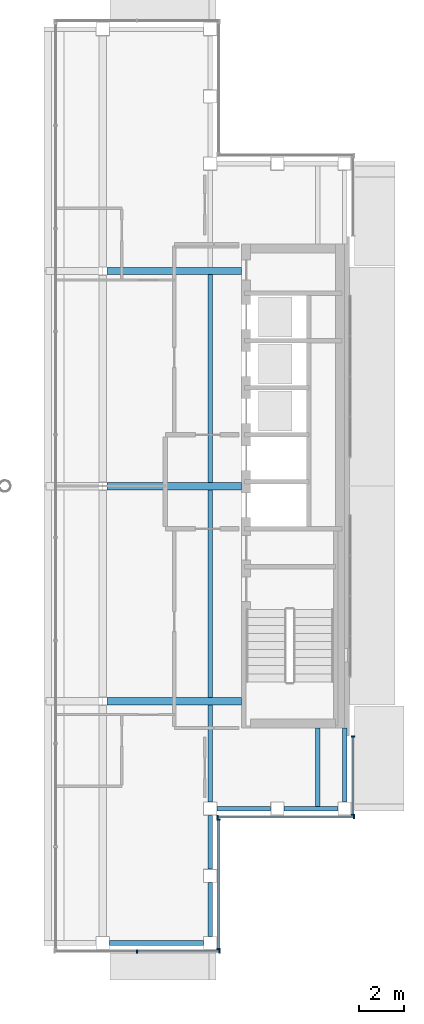
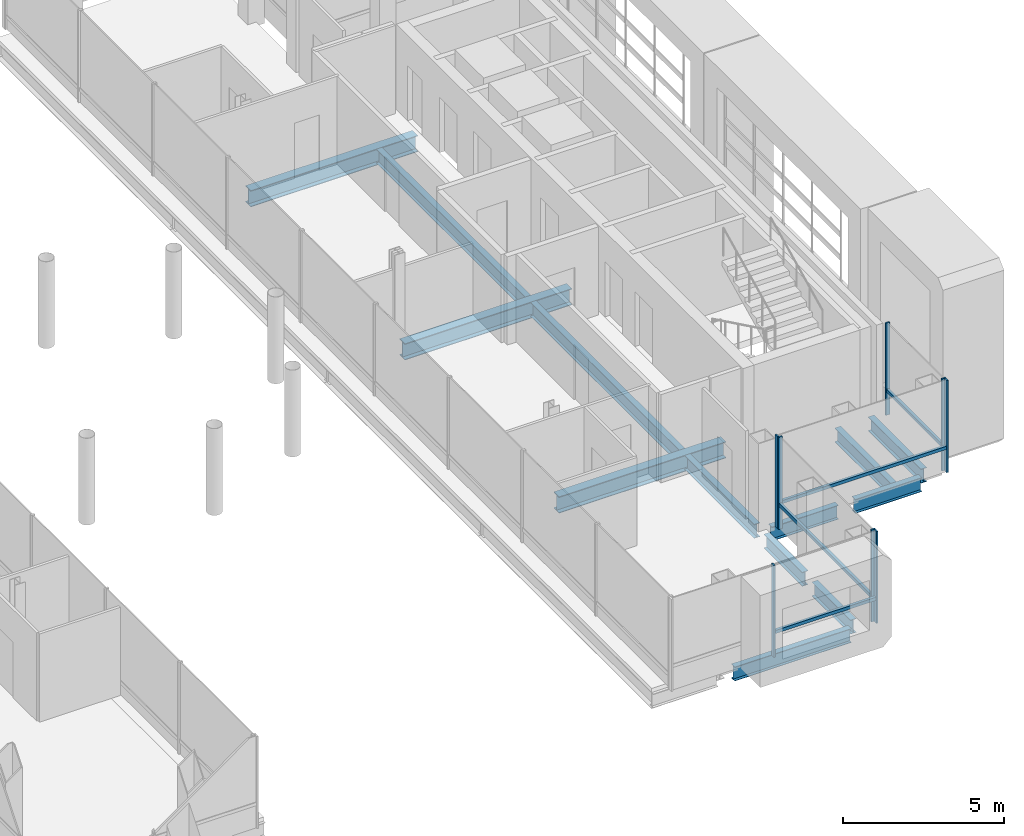
# One storey, part 6 of 21: 13 beams, 12 members, 4 elements without a shape of their own.
"""IFC4 building model written with IfcOpenShell, lengths in metres."""

import ifcopenshell
import ifcopenshell.guid

model = None  # the IFC model being written
_history = None  # IfcOwnerHistory: only IFC2X3 demands one
_inside = {}  # id of a spatial element -> (the spatial element, [elements in it])
_under = {}  # id of a project, library or spatial element -> (it, [spatial elements below it])
_declared = {}  # id of a project -> (the project, [libraries it declares])
_typed = {}  # id of a type object -> (the type object, [elements of that type])
_made_of = {}  # id of a material, layer set ... -> (it, [elements and type objects made of it])


def new_model(schema):
    """Start an empty IFC model of exactly this schema.

    Asked for "IFC4X3", IfcOpenShell would pick the latest addendum, in which some entities
    have other attributes; the version numbers below select the first issue.
    IFC2X3 requires an IfcOwnerHistory on every rooted entity: one is made here for all.
    """
    global model, _history
    if schema == "IFC4X3":
        model = ifcopenshell.file(schema_version=(4, 3, 0, 0))
    else:
        model = ifcopenshell.file(schema=schema)
    _inside.clear()
    _under.clear()
    _declared.clear()
    _typed.clear()
    _made_of.clear()
    _history = None
    if model.schema == "IFC2X3":
        org = make("IfcOrganization", Name="unknown")
        user = make(
            "IfcPersonAndOrganization",
            ThePerson=make("IfcPerson", FamilyName="unknown"),
            TheOrganization=org,
        )
        app = make(
            "IfcApplication",
            ApplicationDeveloper=org,
            Version="unknown",
            ApplicationFullName="unknown",
            ApplicationIdentifier="unknown",
        )
        _history = make(
            "IfcOwnerHistory",
            OwningUser=user,
            OwningApplication=app,
            ChangeAction="ADDED",
            CreationDate=0,
        )
    return model


def make(cls, **values):
    """One entity of the class cls with the attributes given. An attribute that is None is left unset."""
    return model.create_entity(
        cls, **{name: value for name, value in values.items() if value is not None}
    )


def rooted(cls, **values):
    """An entity with a GlobalId (a new one), such as an element, a storey or a relation."""
    return make(cls, GlobalId=ifcopenshell.guid.new(), OwnerHistory=_history, **values)


def si_unit(unit_type, name, prefix=None):
    """IfcSIUnit, for example si_unit("LENGTHUNIT", "METRE", prefix="MILLI")."""
    return make("IfcSIUnit", UnitType=unit_type, Prefix=prefix, Name=name)


def assignment(units):
    """IfcUnitAssignment: the units of a project."""
    return None if units is None else make("IfcUnitAssignment", Units=units)


def point(xyz):
    """IfcCartesianPoint."""
    return None if xyz is None else make("IfcCartesianPoint", Coordinates=xyz)


def direction(xyz):
    """IfcDirection."""
    return None if xyz is None else make("IfcDirection", DirectionRatios=xyz)


def frame(location, z_axis=None, x_axis=None):
    """IfcAxis2Placement3D, a coordinate frame: its origin and axes. An axis left out is left unset."""
    return make(
        "IfcAxis2Placement3D",
        Location=point(location),
        Axis=direction(z_axis),
        RefDirection=direction(x_axis),
    )


def frame_2d(location, x_axis=None):
    """IfcAxis2Placement2D, a coordinate frame in the plane: its origin and x axis."""
    return make(
        "IfcAxis2Placement2D", Location=point(location), RefDirection=direction(x_axis)
    )


def origin():
    """The frame at (0, 0, 0) with its axes left unset."""
    return frame((0.0, 0.0, 0.0))


def origin_2d():
    """The frame at (0, 0) in the plane with its x axis left unset."""
    return frame_2d((0.0, 0.0))


def place(relative_to, where):
    """IfcLocalPlacement: puts the frame where relative to a parent placement (None: the world)."""
    return make(
        "IfcLocalPlacement", PlacementRelTo=relative_to, RelativePlacement=where
    )


def context(
    kind, dimensions, precision=None, world=None, true_north=None, identifier=None
):
    """IfcGeometricRepresentationContext, for example the 3D "Model" context."""
    return make(
        "IfcGeometricRepresentationContext",
        ContextIdentifier=identifier,
        ContextType=kind,
        CoordinateSpaceDimension=dimensions,
        Precision=precision,
        WorldCoordinateSystem=world,
        TrueNorth=true_north,
    )


def subcontext(parent, identifier, kind, view, scale=None):
    """IfcGeometricRepresentationSubContext, for example "Body" below "Model"."""
    return make(
        "IfcGeometricRepresentationSubContext",
        ContextIdentifier=identifier,
        ContextType=kind,
        ParentContext=parent,
        TargetScale=scale,
        TargetView=view,
    )


def project(units=None, contexts=None):
    """IfcProject with its units and contexts."""
    return rooted(
        "IfcProject",
        Name="project",
        RepresentationContexts=contexts,
        UnitsInContext=assignment(units),
    )


def spatial(cls, under=None, at=None, **own):
    """A site, building, storey or space (cls), placed at a placement, below another one or the project."""
    s = rooted(cls, ObjectPlacement=at, **own)
    if under is not None:
        _under.setdefault(under.id(), (under, []))[1].append(s)
    return s


def profile(cls, at=None, kind="AREA", **sizes):
    """A parametric profile (cls). Its sizes go by their IFC names, for example OverallWidth=200.0."""
    return make(cls, ProfileType=kind, Position=at, **sizes)


def rectangle(**sizes):
    """IfcRectangleProfileDef."""
    return profile("IfcRectangleProfileDef", **sizes)


def i_section(**sizes):
    """IfcIShapeProfileDef."""
    return profile("IfcIShapeProfileDef", **sizes)


def extrude(swept, where, along, depth):
    """IfcExtrudedAreaSolid: the profile swept, set in the frame where, extruded along a direction by depth."""
    return make(
        "IfcExtrudedAreaSolid",
        SweptArea=swept,
        Position=where,
        ExtrudedDirection=direction(along),
        Depth=depth,
    )


def shape(context_of_items, identifier, shape_type, items):
    """IfcShapeRepresentation: the items that make up one representation, for example the "Body"."""
    return make(
        "IfcShapeRepresentation",
        ContextOfItems=context_of_items,
        RepresentationIdentifier=identifier,
        RepresentationType=shape_type,
        Items=items,
    )


def material(Name=None, Category=None):
    """IfcMaterial."""
    return make("IfcMaterial", Name=Name, Category=Category)


def material_profile(
    of_material, cross_section, Name=None, Category=None, Priority=None
):
    """IfcMaterialProfile: a cross section and its material."""
    return make(
        "IfcMaterialProfile",
        Name=Name,
        Material=of_material,
        Profile=cross_section,
        Priority=Priority,
        Category=Category,
    )


def profile_set(profiles, Name=None, composite=None):
    """IfcMaterialProfileSet."""
    return make(
        "IfcMaterialProfileSet",
        Name=Name,
        MaterialProfiles=profiles,
        CompositeProfile=composite,
    )


def made_of(thing, what):
    """Note that an element or type object is made of a material, layer set ...; save() writes the relation."""
    if what is not None:
        _made_of.setdefault(what.id(), (what, []))[1].append(thing)
    return thing


def type_object(cls, material=None, **own):
    """A type object (cls), such as IfcWallType, which elements share."""
    return made_of(rooted(cls, **own), material)


def element(
    cls,
    number,
    at=None,
    inside=None,
    cuts=None,
    type_object=None,
    material=None,
    context=None,
    identifier="Body",
    shape_type=None,
    held_by="IfcProductDefinitionShape",
    body=None,
    shapes=None,
    **own,
):
    """One element of the class cls, such as IfcWall. Its Tag is "e" and its number.

    at: its placement. inside: the storey or other place that contains it. cuts: it is an
    opening in that element (IfcRelVoidsElement). A single representation is given by context,
    identifier, shape_type and body (its items); several are given by shapes. held_by: the class
    of the entity that holds the representations. save() writes the other relations.
    """
    e = rooted(cls, Tag="e%d" % number, ObjectPlacement=at, **own)
    if body is not None:
        shapes = [shape(context, identifier, shape_type, body)]
    if shapes is not None:
        e.Representation = make(held_by, Representations=shapes)
    if inside is not None:
        _inside.setdefault(inside.id(), (inside, []))[1].append(e)
    if cuts is not None:
        rooted(
            "IfcRelVoidsElement", RelatingBuildingElement=cuts, RelatedOpeningElement=e
        )
    if type_object is not None:
        _typed.setdefault(type_object.id(), (type_object, []))[1].append(e)
    return made_of(e, material)


def aggregate(whole, parts):
    """IfcRelAggregates: a whole, such as a stair, and the parts it consists of."""
    return rooted("IfcRelAggregates", RelatingObject=whole, RelatedObjects=parts)


def save(model, path):
    """Write the relations noted so far, then the file.

    IfcRelAggregates (storeys below a building ...), IfcRelContainedInSpatialStructure (elements
    in a storey), IfcRelDefinesByType, IfcRelAssociatesMaterial and IfcRelDeclares: one each for
    every whole, place, type object, material and project.
    """
    for whole, parts in _under.values():
        aggregate(whole, parts)
    for where, things in _inside.values():
        rooted(
            "IfcRelContainedInSpatialStructure",
            RelatedElements=things,
            RelatingStructure=where,
        )
    for kind, things in _typed.values():
        rooted("IfcRelDefinesByType", RelatedObjects=things, RelatingType=kind)
    for what, things in _made_of.values():
        rooted("IfcRelAssociatesMaterial", RelatedObjects=things, RelatingMaterial=what)
    for by, libraries in _declared.values():
        rooted("IfcRelDeclares", RelatingContext=by, RelatedDefinitions=libraries)
    model.write(path)


model = new_model("IFC4")

# Units and contexts
model_context = context("Model", 3, precision=1e-05, world=origin(), true_north=direction((0.0, 1.0)))
body_context = subcontext(model_context, "Body", "Model", "MODEL_VIEW")
ifc_project = project(units=[si_unit("LENGTHUNIT", "METRE"), si_unit("AREAUNIT", "SQUARE_METRE"), si_unit("VOLUMEUNIT", "CUBIC_METRE"), si_unit("PLANEANGLEUNIT", "RADIAN"), si_unit("MASSUNIT", "GRAM", prefix="KILO")], contexts=[model_context])

# Site, building, storey
site_placement = place(None, origin())
site = spatial("IfcSite", under=ifc_project, at=site_placement, CompositionType="ELEMENT")
building_placement = place(site_placement, origin())
building = spatial("IfcBuilding", under=site, at=building_placement, Name="Cobrizo Arcos Hotel Tower", CompositionType="ELEMENT")
storey_placement = place(building_placement, frame((0.0, 0.0, 269.0)))
storey = spatial("IfcBuildingStorey", under=building, at=storey_placement, Name="L71", CompositionType="ELEMENT", Elevation=269.0)

# Curtain wall, members
ifc_material_1 = material(Name="Aluminium 6063-T6 anodised bronze", Category="aluminium")
curtain_wall_type = type_object("IfcCurtainWallType", Name="CW-A guest facade", PredefinedType="NOTDEFINED", material=ifc_material_1)
curtain_wall_1_placement = place(storey_placement, origin())
curtain_wall_1 = element("IfcCurtainWall", 1, at=curtain_wall_1_placement, inside=storey, type_object=curtain_wall_type, Name="CW-A L71 S face", PredefinedType="NOTDEFINED")
ifc_material_profile_1 = material_profile(ifc_material_1, rectangle(XDim=0.14990234375, YDim=0.06005859375, at=origin_2d()), Name="CW-A mullion 150x60")
ifc_profile_set_1 = profile_set([ifc_material_profile_1], Name="Aluminium 6063-T6 anodised bronze")
member_type_1 = type_object("IfcMemberType", Name="CW-A mullion 150x60", PredefinedType="MULLION", material=ifc_profile_set_1)
member_1_placement = place(storey_placement, frame((11.135986328125, -20.77490234375, 0.0), z_axis=(0.0, 0.0, 1.0), x_axis=(0.0, -1.0, 0.0)))
member_1 = element("IfcMember", 2, at=member_1_placement, type_object=member_type_1, Name="CW-A mullion 2", PredefinedType="MULLION", context=body_context, shape_type="SweptSolid", body=[
    extrude(rectangle(XDim=0.14990234375, YDim=0.06005859375, at=origin_2d()), origin(), (0.0, 0.0, 1.0), 3.5),
])
member_2_placement = place(storey_placement, frame((14.820068359375, -20.77490234375, 0.0), z_axis=(0.0, 0.0, 1.0), x_axis=(0.0, -1.0, 0.0)))
member_2 = element("IfcMember", 3, at=member_2_placement, type_object=member_type_1, Name="CW-A mullion 3", PredefinedType="MULLION", context=body_context, shape_type="SweptSolid", body=[
    extrude(rectangle(XDim=0.14990234375, YDim=0.06005859375, at=origin_2d()), origin(), (0.0, 0.0, 1.0), 3.5),
])

curtain_wall_2_placement = place(storey_placement, origin())
curtain_wall_2 = element("IfcCurtainWall", 4, at=curtain_wall_2_placement, inside=storey, type_object=curtain_wall_type, Name="CW-A L71 E face", PredefinedType="NOTDEFINED")
member_3_placement = place(storey_placement, frame((14.77490234375, -20.669921875, 0.0), z_axis=(0.0, 0.0, 1.0), x_axis=(1.0, 0.0, 0.0)))
member_3 = element("IfcMember", 5, at=member_3_placement, type_object=member_type_1, Name="CW-A mullion 1", PredefinedType="MULLION", context=body_context, shape_type="SweptSolid", body=[
    extrude(rectangle(XDim=0.14990234375, YDim=0.06005859375, at=origin_2d()), origin(), (0.0, 0.0, 1.0), 3.5),
])
member_4_placement = place(storey_placement, frame((14.77490234375, -14.8798828125, 0.0), z_axis=(0.0, 0.0, 1.0), x_axis=(1.0, 0.0, 0.0)))
member_4 = element("IfcMember", 6, at=member_4_placement, type_object=member_type_1, Name="CW-A mullion 2", PredefinedType="MULLION", context=body_context, shape_type="SweptSolid", body=[
    extrude(rectangle(XDim=0.14990234375, YDim=0.06005859375, at=origin_2d()), origin(), (0.0, 0.0, 1.0), 3.5),
])

curtain_wall_3_placement = place(storey_placement, origin())
curtain_wall_3 = element("IfcCurtainWall", 7, at=curtain_wall_3_placement, inside=storey, type_object=curtain_wall_type, Name="CW-A L71 S face", PredefinedType="NOTDEFINED")
member_5_placement = place(storey_placement, frame((14.72998046875, -14.77490234375, 0.0), z_axis=(0.0, 0.0, 1.0), x_axis=(0.0, -1.0, 0.0)))
member_5 = element("IfcMember", 8, at=member_5_placement, type_object=member_type_1, Name="CW-A mullion 1", PredefinedType="MULLION", context=body_context, shape_type="SweptSolid", body=[
    extrude(rectangle(XDim=0.14990234375, YDim=0.06005859375, at=origin_2d()), origin(), (0.0, 0.0, 1.0), 3.5),
])
member_6_placement = place(storey_placement, frame((20.820068359375, -14.77490234375, 0.0), z_axis=(0.0, 0.0, 1.0), x_axis=(0.0, -1.0, 0.0)))
member_6 = element("IfcMember", 9, at=member_6_placement, type_object=member_type_1, Name="CW-A mullion 2", PredefinedType="MULLION", context=body_context, shape_type="SweptSolid", body=[
    extrude(rectangle(XDim=0.14990234375, YDim=0.06005859375, at=origin_2d()), origin(), (0.0, 0.0, 1.0), 3.5),
])

curtain_wall_4_placement = place(storey_placement, origin())
curtain_wall_4 = element("IfcCurtainWall", 10, at=curtain_wall_4_placement, inside=storey, type_object=curtain_wall_type, Name="CW-A L71 E face", PredefinedType="NOTDEFINED")
member_7_placement = place(storey_placement, frame((20.77490234375, -14.669921875, 0.0), z_axis=(0.0, 0.0, 1.0), x_axis=(1.0, 0.0, 0.0)))
member_7 = element("IfcMember", 11, at=member_7_placement, type_object=member_type_1, Name="CW-A mullion 1", PredefinedType="MULLION", context=body_context, shape_type="SweptSolid", body=[
    extrude(rectangle(XDim=0.14990234375, YDim=0.06005859375, at=origin_2d()), origin(), (0.0, 0.0, 1.0), 3.5),
])
member_8_placement = place(storey_placement, frame((20.77490234375, -11.179931640625, 0.0), z_axis=(0.0, 0.0, 1.0), x_axis=(1.0, 0.0, 0.0)))
member_8 = element("IfcMember", 12, at=member_8_placement, type_object=member_type_1, Name="CW-A mullion 2", PredefinedType="MULLION", context=body_context, shape_type="SweptSolid", body=[
    extrude(rectangle(XDim=0.14990234375, YDim=0.06005859375, at=origin_2d()), origin(), (0.0, 0.0, 1.0), 3.5),
])

# Member
ifc_material_profile_2 = material_profile(ifc_material_1, rectangle(XDim=0.10009765625, YDim=0.1201171875, at=origin_2d()), Name="CW-A transom 120x100")
ifc_profile_set_2 = profile_set([ifc_material_profile_2], Name="Aluminium 6063-T6 anodised bronze")
member_type_2 = type_object("IfcMemberType", Name="CW-A transom 120x100", PredefinedType="USERDEFINED", material=ifc_profile_set_2)
member_9_placement = place(storey_placement, frame((11.166015625, -20.77490234375, 0.929931640625), z_axis=(1.0, 0.0, 0.0), x_axis=(0.0, 1.0, 0.0)))
member_9 = element("IfcMember", 13, at=member_9_placement, type_object=member_type_2, Name="CW-A transom 2230", ObjectType="TRANSOM", PredefinedType="USERDEFINED", context=body_context, shape_type="SweptSolid", body=[
    extrude(rectangle(XDim=0.10009765625, YDim=0.1201171875, at=origin_2d()), origin(), (0.0, 0.0, 1.0), 3.6240234375),
])

aggregate(curtain_wall_1, [member_1, member_2, member_9])

member_10_placement = place(storey_placement, frame((14.77490234375, -20.639892578125, 0.929931640625), z_axis=(0.0, 1.0, 0.0), x_axis=(-1.0, 0.0, 0.0)))
member_10 = element("IfcMember", 14, at=member_10_placement, type_object=member_type_2, Name="CW-A transom 2231", ObjectType="TRANSOM", PredefinedType="USERDEFINED", context=body_context, shape_type="SweptSolid", body=[
    extrude(rectangle(XDim=0.10009765625, YDim=0.1201171875, at=origin_2d()), origin(), (0.0, 0.0, 1.0), 5.72998046875),
])

aggregate(curtain_wall_2, [member_3, member_4, member_10])

member_11_placement = place(storey_placement, frame((14.760009765625, -14.77490234375, 0.929931640625), z_axis=(1.0, 0.0, 0.0), x_axis=(0.0, 1.0, 0.0)))
member_11 = element("IfcMember", 15, at=member_11_placement, type_object=member_type_2, Name="CW-A transom 2232", ObjectType="TRANSOM", PredefinedType="USERDEFINED", context=body_context, shape_type="SweptSolid", body=[
    extrude(rectangle(XDim=0.10009765625, YDim=0.1201171875, at=origin_2d()), origin(), (0.0, 0.0, 1.0), 6.030029296875),
])

aggregate(curtain_wall_3, [member_5, member_6, member_11])

member_12_placement = place(storey_placement, frame((20.77490234375, -14.639892578125, 0.929931640625), z_axis=(0.0, 1.0, 0.0), x_axis=(-1.0, 0.0, 0.0)))
member_12 = element("IfcMember", 16, at=member_12_placement, type_object=member_type_2, Name="CW-A transom 2233", ObjectType="TRANSOM", PredefinedType="USERDEFINED", context=body_context, shape_type="SweptSolid", body=[
    extrude(rectangle(XDim=0.10009765625, YDim=0.1201171875, at=origin_2d()), origin(), (0.0, 0.0, 1.0), 3.429931640625),
])

aggregate(curtain_wall_4, [member_7, member_8, member_12])

# Beams
ifc_material_2 = material(Name="Steel ASTM A992 Grade 50", Category="steel")
ifc_material_profile_3 = material_profile(ifc_material_2, i_section(OverallWidth=0.209228515625, OverallDepth=0.533447265625, WebThickness=0.01025390625, FlangeThickness=0.015625, at=origin_2d()), Name="W21X62")
ifc_profile_set_3 = profile_set([ifc_material_profile_3], Name="Steel ASTM A992 Grade 50")
beam_type_1 = type_object("IfcBeamType", Name="W21X62 joist", PredefinedType="JOIST", material=ifc_profile_set_3)
beam_1_placement = place(storey_placement, frame((14.39990234375, -14.10009765625, -0.416748046875), z_axis=(0.0, 1.0, 0.0), x_axis=(-1.0, 0.0, 0.0)))
element("IfcBeam", 17, at=beam_1_placement, inside=storey, type_object=beam_type_1, Name="Floor joist J1, L71, no. 007", PredefinedType="JOIST", context=body_context, shape_type="SweptSolid", body=[
    extrude(i_section(OverallWidth=0.209228515625, OverallDepth=0.533447265625, WebThickness=0.01025390625, FlangeThickness=0.015625, at=origin_2d()), origin(), (0.0, 0.0, 1.0), 4.336181640625),
])
for number, where, z_axis, x_axis, name in (
    (18, (14.39990234375, -9.43603515625, -0.416748046875), (0.0, 1.0, 0.0), (-1.0, 0.0, 0.0), "Floor joist J1, L71, no. 008"),
    (19, (14.39990234375, 0.163818359375, -0.416748046875), (0.0, 1.0, 0.0), (-1.0, 0.0, 0.0), "Floor joist J1, L71, no. 009"),
):
    element("IfcBeam", number, at=place(storey_placement, frame(where, z_axis=z_axis, x_axis=x_axis)), inside=storey, type_object=beam_type_1, Name=name, PredefinedType="JOIST", context=body_context, shape_type="SweptSolid", body=[
        extrude(i_section(OverallWidth=0.209228515625, OverallDepth=0.533447265625, WebThickness=0.01025390625, FlangeThickness=0.015625, at=origin_2d()), origin(), (0.0, 0.0, 1.0), 9.272216796875),
    ])
beam_2_placement = place(storey_placement, frame((19.199951171875, -14.31005859375, -0.416748046875), z_axis=(0.0, 1.0, 0.0), x_axis=(-1.0, 0.0, 0.0)))
element("IfcBeam", 20, at=beam_2_placement, inside=storey, type_object=beam_type_1, Name="Floor joist J1, L71, no. 011", PredefinedType="JOIST", context=body_context, shape_type="SweptSolid", body=[
    extrude(i_section(OverallWidth=0.209228515625, OverallDepth=0.533447265625, WebThickness=0.01025390625, FlangeThickness=0.015625, at=origin_2d()), origin(), (0.0, 0.0, 1.0), 3.5),
])
ifc_material_profile_4 = material_profile(ifc_material_2, i_section(OverallWidth=0.209228515625, OverallDepth=0.533447265625, WebThickness=0.01025390625, FlangeThickness=0.015625, at=origin_2d()), Name="W21X62")
ifc_profile_set_4 = profile_set([ifc_material_profile_4], Name="Steel ASTM A992 Grade 50")
beam_type_2 = type_object("IfcBeamType", Name="W21X62 spandrel", PredefinedType="SPANDREL", material=ifc_profile_set_4)
beam_3_placement = place(storey_placement, frame((20.39990234375, -10.81005859375, -0.416748046875), z_axis=(0.0, -1.0, 0.0), x_axis=(1.0, 0.0, 0.0)))
element("IfcBeam", 21, at=beam_3_placement, inside=storey, type_object=beam_type_2, Name="Spandrel beam W21X62, L71, no. 022", PredefinedType="SPANDREL", context=body_context, shape_type="SweptSolid", body=[
    extrude(i_section(OverallWidth=0.209228515625, OverallDepth=0.533447265625, WebThickness=0.01025390625, FlangeThickness=0.015625, at=origin_2d()), origin(), (0.0, 0.0, 1.0), 3.2900390625),
])
for number, where, z_axis, x_axis, name in (
    (22, (20.10009765625, -14.39990234375, -0.416748046875), (-1.0, 0.0, 0.0), (0.0, -1.0, 0.0), "Spandrel beam W21X62, L71, no. 023"),
    (23, (17.10009765625, -14.39990234375, -0.416748046875), (-1.0, 0.0, 0.0), (0.0, -1.0, 0.0), "Spandrel beam W21X62, L71, no. 024"),
    (24, (14.39990234375, -14.699951171875, -0.416748046875), (0.0, -1.0, 0.0), (1.0, 0.0, 0.0), "Spandrel beam W21X62, L71, no. 025"),
    (25, (14.39990234375, -17.699951171875, -0.416748046875), (0.0, -1.0, 0.0), (1.0, 0.0, 0.0), "Spandrel beam W21X62, L71, no. 026"),
):
    element("IfcBeam", number, at=place(storey_placement, frame(where, z_axis=z_axis, x_axis=x_axis)), inside=storey, type_object=beam_type_2, Name=name, PredefinedType="SPANDREL", context=body_context, shape_type="SweptSolid", body=[
        extrude(i_section(OverallWidth=0.209228515625, OverallDepth=0.533447265625, WebThickness=0.01025390625, FlangeThickness=0.015625, at=origin_2d()), origin(), (0.0, 0.0, 1.0), 2.400146484375),
    ])
beam_4_placement = place(storey_placement, frame((14.10009765625, -20.39990234375, -0.416748046875), z_axis=(-1.0, 0.0, 0.0), x_axis=(0.0, -1.0, 0.0)))
element("IfcBeam", 26, at=beam_4_placement, inside=storey, type_object=beam_type_2, Name="Spandrel beam W21X62, L71, no. 027", PredefinedType="SPANDREL", context=body_context, shape_type="SweptSolid", body=[
    extrude(i_section(OverallWidth=0.209228515625, OverallDepth=0.533447265625, WebThickness=0.01025390625, FlangeThickness=0.015625, at=origin_2d()), origin(), (0.0, 0.0, 1.0), 4.2001953125),
])
ifc_material_profile_5 = material_profile(ifc_material_2, i_section(OverallWidth=0.32763671875, OverallDepth=0.622314453125, WebThickness=0.015380859375, FlangeThickness=0.0244140625, at=origin_2d()), Name="W24X131")
ifc_profile_set_5 = profile_set([ifc_material_profile_5], Name="Steel ASTM A992 Grade 50")
beam_type_3 = type_object("IfcBeamType", Name="W24X131 girder", PredefinedType="BEAM", material=ifc_profile_set_5)
for number, where, z_axis, x_axis, name in (
    (27, (9.7841796875, -9.60009765625, -0.461181640625), (1.0, 0.0, 0.0), (0.0, 1.0, 0.0), "Floor girder G1, L71, no. 004"),
    (28, (9.7841796875, 0.0, -0.461181640625), (1.0, 0.0, 0.0), (0.0, 1.0, 0.0), "Floor girder G1, L71, no. 008"),
    (29, (9.7841796875, 9.60009765625, -0.461181640625), (1.0, 0.0, 0.0), (0.0, 1.0, 0.0), "Floor girder G1, L71, no. 012"),
):
    element("IfcBeam", number, at=place(storey_placement, frame(where, z_axis=z_axis, x_axis=x_axis)), inside=storey, type_object=beam_type_3, Name=name, PredefinedType="BEAM", context=body_context, shape_type="SweptSolid", body=[
        extrude(i_section(OverallWidth=0.32763671875, OverallDepth=0.622314453125, WebThickness=0.015380859375, FlangeThickness=0.0244140625, at=origin_2d()), origin(), (0.0, 0.0, 1.0), 6.005859375),
    ])

save(model, "model.ifc")
